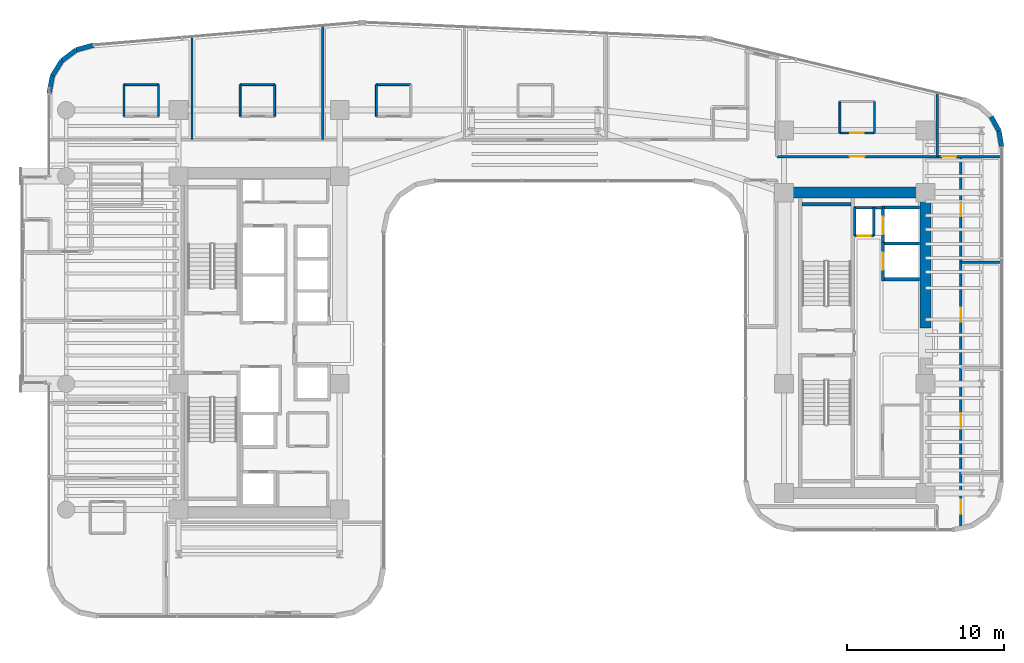
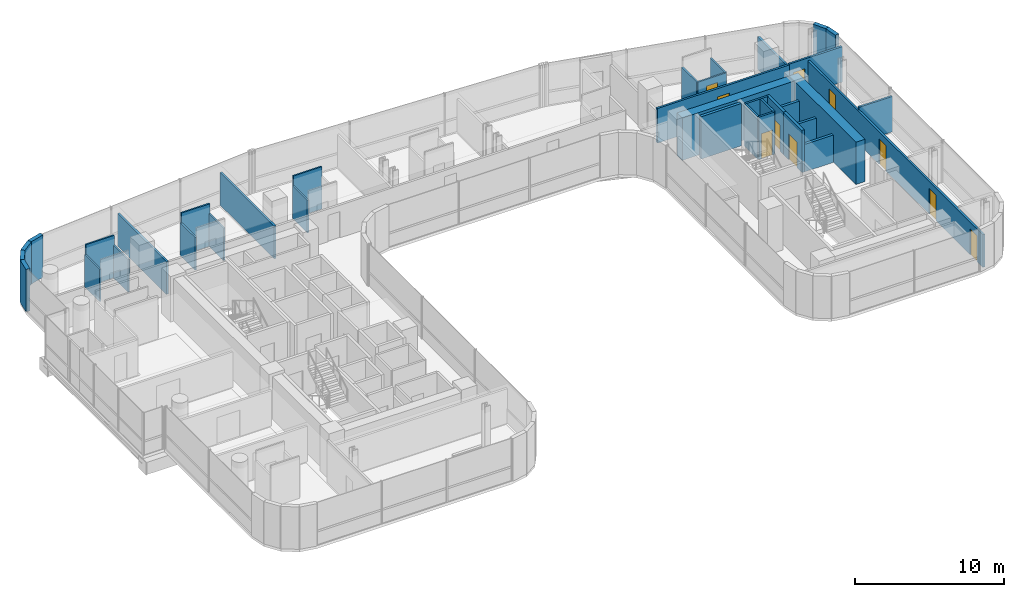
# One storey, part 29 of 35: 36 walls, 10 doors, 10 openings.
"""IFC4 building model written with IfcOpenShell, lengths in metres."""

from ifc_helpers import new_model, si_unit, direction, frame, frame_2d, origin, place, context, subcontext, project, spatial, rectangle, extrude, material, layer, layer_set, type_object, element, fill, save


model = new_model("IFC4")

# Units and contexts
model_context = context("Model", 3, precision=1e-05, world=origin(), true_north=direction((0.0, 1.0)))
body_context = subcontext(model_context, "Body", "Model", "MODEL_VIEW")
ifc_project = project(units=[si_unit("LENGTHUNIT", "METRE"), si_unit("AREAUNIT", "SQUARE_METRE"), si_unit("VOLUMEUNIT", "CUBIC_METRE"), si_unit("PLANEANGLEUNIT", "RADIAN"), si_unit("MASSUNIT", "GRAM", prefix="KILO")], contexts=[model_context])

# Site, building, storey
site_placement = place(None, origin())
site = spatial("IfcSite", under=ifc_project, at=site_placement, CompositionType="ELEMENT")
building_placement = place(site_placement, origin())
building = spatial("IfcBuilding", under=site, at=building_placement, Name="Valdorenza Pilgrim Sanctuary Tower", CompositionType="ELEMENT")
storey_placement = place(building_placement, frame((0.0, 0.0, 113.10009765625)))
storey = spatial("IfcBuildingStorey", under=building, at=storey_placement, Name="L28", CompositionType="ELEMENT", Elevation=113.10009765625)

# Wall, opening, door
ifc_material_1 = material(Name="Acoustic twin-stud gypsum partition", Category="gypsum")
ifc_layer_1 = layer(ifc_material_1, 0.159912109375, Name="Acoustic twin-stud gypsum partition")
ifc_layer_set_1 = layer_set([ifc_layer_1], Name="Acoustic twin-stud gypsum partition")
wall_type_1 = type_object("IfcWallType", Name="WAL-COR-160", PredefinedType="PARTITIONING", material=ifc_layer_set_1)
wall_1_placement = place(storey_placement, frame((20.35009765625, 6.800048828125, 0.0), z_axis=(0.0, 0.0, 1.0), x_axis=(1.0, 0.0, 0.0)))
wall_1 = element("IfcWall", 1, at=wall_1_placement, inside=storey, type_object=wall_type_1, Name="L28 Core B Riser South Wall", PredefinedType="PARTITIONING", context=body_context, shape_type="SweptSolid", body=[
    extrude(rectangle(XDim=1.199951171875, YDim=0.159912109375, at=frame_2d((0.60009765625, 0.0))), origin(), (0.0, 0.0, 1.0), 3.4599609375),
])
opening_1_placement = place(wall_1_placement, frame((0.175048828125, 0.0, 0.0)))
opening_1 = element("IfcOpeningElement", 2, at=opening_1_placement, cuts=wall_1, Name="Opening DR-RS1", PredefinedType="OPENING", context=body_context, shape_type="SweptSolid", body=[
    extrude(rectangle(XDim=0.85009765625, YDim=2.050048828125, at=frame_2d((0.425048828125, 1.02490234375))), frame((0.0, 0.0947265625, 0.0), z_axis=(0.0, -1.0, 0.0), x_axis=(1.0, 0.0, 0.0)), (0.0, 0.0, 1.0), 0.189697265625),
])
ifc_material_2 = material(Name="Painted galvanized steel", Category="steel")
door_type_1 = type_object("IfcDoorType", Name="DR-RSR-850", OperationType="NOTDEFINED", PredefinedType="DOOR", material=ifc_material_2)
door_1_placement = place(opening_1_placement, origin())
door_1 = element("IfcDoor", 3, at=door_1_placement, inside=storey, type_object=door_type_1, Name="L28 Core B Electrical Riser Door", OperationType="SINGLE_SWING_RIGHT", OverallHeight=2.050048828125, OverallWidth=0.85009765625, PredefinedType="DOOR", context=body_context, shape_type="SweptSolid", body=[
    extrude(rectangle(XDim=0.85009765625, YDim=2.050048828125, at=frame_2d((0.425048828125, 1.02490234375))), frame((0.0, 0.02490234375, 0.0), z_axis=(0.0, -1.0, 0.0), x_axis=(1.0, 0.0, 0.0)), (0.0, 0.0, 1.0), 0.050048828125),
])
fill(opening_1, door_1)

# Walls
for number, where, z_axis, x_axis, name in (
    (4, (21.550048828125, 6.800048828125, 0.0), (0.0, 0.0, 1.0), (0.0, 1.0, 0.0), "L28 Core B Riser East Wall"),
    (5, (20.35009765625, 6.800048828125, 0.0), (0.0, 0.0, 1.0), (0.0, 1.0, 0.0), "L28 Core B Riser West Wall"),
):
    element("IfcWall", number, at=place(storey_placement, frame(where, z_axis=z_axis, x_axis=x_axis)), inside=storey, type_object=wall_type_1, Name=name, PredefinedType="PARTITIONING", context=body_context, shape_type="SweptSolid", body=[
        extrude(rectangle(XDim=1.800048828125, YDim=0.159912109375, at=frame_2d((0.89990234375, 0.0))), origin(), (0.0, 0.0, 1.0), 3.4599609375),
    ])
wall_2_placement = place(storey_placement, frame((20.300048828125, 8.60009765625, 0.0), z_axis=(0.0, 0.0, 1.0), x_axis=(1.0, 0.0, 0.0)))
element("IfcWall", 6, at=wall_2_placement, inside=storey, type_object=wall_type_1, Name="L28 Core B Lift Hall North End Wall", PredefinedType="PARTITIONING", context=body_context, shape_type="SweptSolid", body=[
    extrude(rectangle(XDim=1.820068359375, YDim=0.159912109375, at=frame_2d((0.91015625, 0.0))), origin(), (0.0, 0.0, 1.0), 3.4599609375),
])

# Wall, opening, door
wall_3_placement = place(storey_placement, frame((15.39990234375, 11.85009765625, 0.0), z_axis=(0.0, 0.0, 1.0), x_axis=(1.0, 0.0, 0.0)))
wall_3 = element("IfcWall", 7, at=wall_3_placement, inside=storey, type_object=wall_type_1, Name="L28 Wing B North Corridor Wall", PredefinedType="PARTITIONING", context=body_context, shape_type="SweptSolid", body=[
    extrude(rectangle(XDim=10.2001953125, YDim=0.159912109375, at=frame_2d((5.10009765625, 0.0))), origin(), (0.0, 0.0, 1.0), 2.833984375),
])
opening_2_placement = place(wall_3_placement, frame((4.625, 0.0, 0.0)))
opening_2 = element("IfcOpeningElement", 8, at=opening_2_placement, cuts=wall_3, Name="Opening DR-UN1", PredefinedType="OPENING", context=body_context, shape_type="SweptSolid", body=[
    extrude(rectangle(XDim=0.949951171875, YDim=2.14990234375, at=frame_2d((0.47509765625, 1.074951171875))), frame((0.0, 0.0947265625, 0.0), z_axis=(0.0, -1.0, 0.0), x_axis=(1.0, 0.0, 0.0)), (0.0, 0.0, 1.0), 0.189697265625),
])
ifc_material_3 = material(Name="Solid-core European oak timber", Category="wood")
door_type_2 = type_object("IfcDoorType", Name="DR-UNIT-950", OperationType="NOTDEFINED", PredefinedType="DOOR", material=ifc_material_3)
door_2_placement = place(opening_2_placement, frame((0.949951171875, 0.0, 0.0), z_axis=(0.0, 0.0, 1.0), x_axis=(-1.0, 0.0, 0.0)))
door_2 = element("IfcDoor", 9, at=door_2_placement, inside=storey, type_object=door_type_2, Name="L28 East North Guest Room L28-EN1 Entrance Door", OperationType="SINGLE_SWING_LEFT", OverallHeight=2.14990234375, OverallWidth=0.949951171875, PredefinedType="DOOR", context=body_context, shape_type="SweptSolid", body=[
    extrude(rectangle(XDim=0.949951171875, YDim=2.14990234375, at=frame_2d((0.47509765625, 1.074951171875))), frame((0.0, 0.02490234375, 0.0), z_axis=(0.0, -1.0, 0.0), x_axis=(1.0, 0.0, 0.0)), (0.0, 0.0, 1.0), 0.050048828125),
])
fill(opening_2, door_2)

# Wall
wall_4_placement = place(storey_placement, frame((25.60009765625, 11.85009765625, 0.0), z_axis=(0.0, 0.0, 1.0), x_axis=(0.0, 1.0, 0.0)))
element("IfcWall", 10, at=wall_4_placement, inside=storey, type_object=wall_type_1, Name="L28 Wing B North East Wall", PredefinedType="PARTITIONING", context=body_context, shape_type="SweptSolid", body=[
    extrude(rectangle(XDim=4.042236328125, YDim=0.159912109375, at=frame_2d((2.02099609375, 0.0))), origin(), (0.0, 0.0, 1.0), 2.666015625),
])

# Wall, openings, doors
wall_5_placement = place(storey_placement, frame((27.10009765625, -11.660888671875, 0.0), z_axis=(0.0, 0.0, 1.0), x_axis=(0.0, 1.0, 0.0)))
wall_5 = element("IfcWall", 11, at=wall_5_placement, inside=storey, type_object=wall_type_1, Name="L28 Wing B East Corridor Wall", PredefinedType="PARTITIONING", context=body_context, shape_type="SweptSolid", body=[
    extrude(rectangle(XDim=23.510986328125, YDim=0.159912109375, at=frame_2d((11.75537109375, 0.0))), origin(), (0.0, 0.0, 1.0), 2.666015625),
])
opening_3_placement = place(wall_5_placement, frame((0.800048828125, 0.0, 0.0)))
opening_3 = element("IfcOpeningElement", 12, at=opening_3_placement, cuts=wall_5, Name="Opening DR-RM1", PredefinedType="OPENING", context=body_context, shape_type="SweptSolid", body=[
    extrude(rectangle(XDim=0.89990234375, YDim=2.10009765625, at=frame_2d((0.449951171875, 1.050048828125))), frame((0.0, 0.0947265625, 0.0), z_axis=(0.0, -1.0, 0.0), x_axis=(1.0, 0.0, 0.0)), (0.0, 0.0, 1.0), 0.189697265625),
])
opening_4_placement = place(wall_5_placement, frame((6.280029296875, 0.0, 0.0)))
opening_4 = element("IfcOpeningElement", 13, at=opening_4_placement, cuts=wall_5, Name="Opening DR-RM1", PredefinedType="OPENING", context=body_context, shape_type="SweptSolid", body=[
    extrude(rectangle(XDim=0.89990234375, YDim=2.10009765625, at=frame_2d((0.449951171875, 1.050048828125))), frame((0.0, 0.0947265625, 0.0), z_axis=(0.0, -1.0, 0.0), x_axis=(1.0, 0.0, 0.0)), (0.0, 0.0, 1.0), 0.189697265625),
])
opening_5_placement = place(wall_5_placement, frame((12.991943359375, 0.0, 0.0)))
opening_5 = element("IfcOpeningElement", 14, at=opening_5_placement, cuts=wall_5, Name="Opening DR-RM1", PredefinedType="OPENING", context=body_context, shape_type="SweptSolid", body=[
    extrude(rectangle(XDim=0.89990234375, YDim=2.10009765625, at=frame_2d((0.449951171875, 1.050048828125))), frame((0.0, 0.0947265625, 0.0), z_axis=(0.0, -1.0, 0.0), x_axis=(1.0, 0.0, 0.0)), (0.0, 0.0, 1.0), 0.189697265625),
])
opening_6_placement = place(wall_5_placement, frame((19.705078125, 0.0, 0.0)))
opening_6 = element("IfcOpeningElement", 15, at=opening_6_placement, cuts=wall_5, Name="Opening DR-RM1", PredefinedType="OPENING", context=body_context, shape_type="SweptSolid", body=[
    extrude(rectangle(XDim=0.89990234375, YDim=2.10009765625, at=frame_2d((0.449951171875, 1.050048828125))), frame((0.0, 0.0947265625, 0.0), z_axis=(0.0, -1.0, 0.0), x_axis=(1.0, 0.0, 0.0)), (0.0, 0.0, 1.0), 0.189697265625),
])
door_type_3 = type_object("IfcDoorType", Name="DR-ROOM-900", OperationType="NOTDEFINED", PredefinedType="DOOR", material=ifc_material_3)
door_3_placement = place(opening_3_placement, frame((0.89990234375, 0.0, 0.0), z_axis=(0.0, 0.0, 1.0), x_axis=(-1.0, 0.0, 0.0)))
door_3 = element("IfcDoor", 16, at=door_3_placement, inside=storey, type_object=door_type_3, Name="L28 East Sanctuary Scholar Office L28-EG1 Door", OperationType="SINGLE_SWING_LEFT", OverallHeight=2.10009765625, OverallWidth=0.89990234375, PredefinedType="DOOR", context=body_context, shape_type="SweptSolid", body=[
    extrude(rectangle(XDim=0.89990234375, YDim=2.10009765625, at=frame_2d((0.449951171875, 1.050048828125))), frame((0.0, 0.02490234375, 0.0), z_axis=(0.0, -1.0, 0.0), x_axis=(1.0, 0.0, 0.0)), (0.0, 0.0, 1.0), 0.050048828125),
])
fill(opening_3, door_3)
door_4_placement = place(opening_4_placement, origin())
door_4 = element("IfcDoor", 17, at=door_4_placement, inside=storey, type_object=door_type_3, Name="L28 East Sanctuary Scholar Office L28-EG2 Door", OperationType="SINGLE_SWING_RIGHT", OverallHeight=2.10009765625, OverallWidth=0.89990234375, PredefinedType="DOOR", context=body_context, shape_type="SweptSolid", body=[
    extrude(rectangle(XDim=0.89990234375, YDim=2.10009765625, at=frame_2d((0.449951171875, 1.050048828125))), frame((0.0, 0.02490234375, 0.0), z_axis=(0.0, -1.0, 0.0), x_axis=(1.0, 0.0, 0.0)), (0.0, 0.0, 1.0), 0.050048828125),
])
fill(opening_4, door_4)
door_5_placement = place(opening_5_placement, frame((0.89990234375, 0.0, 0.0), z_axis=(0.0, 0.0, 1.0), x_axis=(-1.0, 0.0, 0.0)))
door_5 = element("IfcDoor", 18, at=door_5_placement, inside=storey, type_object=door_type_3, Name="L28 East Sanctuary Scholar Office L28-EG3 Door", OperationType="SINGLE_SWING_LEFT", OverallHeight=2.10009765625, OverallWidth=0.89990234375, PredefinedType="DOOR", context=body_context, shape_type="SweptSolid", body=[
    extrude(rectangle(XDim=0.89990234375, YDim=2.10009765625, at=frame_2d((0.449951171875, 1.050048828125))), frame((0.0, 0.02490234375, 0.0), z_axis=(0.0, -1.0, 0.0), x_axis=(1.0, 0.0, 0.0)), (0.0, 0.0, 1.0), 0.050048828125),
])
fill(opening_5, door_5)
door_6_placement = place(opening_6_placement, origin())
door_6 = element("IfcDoor", 19, at=door_6_placement, inside=storey, type_object=door_type_3, Name="L28 East Sanctuary Scholar Office L28-EG4 Door", OperationType="SINGLE_SWING_RIGHT", OverallHeight=2.10009765625, OverallWidth=0.89990234375, PredefinedType="DOOR", context=body_context, shape_type="SweptSolid", body=[
    extrude(rectangle(XDim=0.89990234375, YDim=2.10009765625, at=frame_2d((0.449951171875, 1.050048828125))), frame((0.0, 0.02490234375, 0.0), z_axis=(0.0, -1.0, 0.0), x_axis=(1.0, 0.0, 0.0)), (0.0, 0.0, 1.0), 0.050048828125),
])
fill(opening_6, door_6)

# Wall, opening, door
wall_6_placement = place(storey_placement, frame((25.60009765625, 11.85009765625, 0.0), z_axis=(0.0, 0.0, 1.0), x_axis=(1.0, 0.0, 0.0)))
wall_6 = element("IfcWall", 20, at=wall_6_placement, inside=storey, type_object=wall_type_1, Name="L28 East Wing NE Corner South Wall", PredefinedType="PARTITIONING", context=body_context, shape_type="SweptSolid", body=[
    extrude(rectangle(XDim=4.08984375, YDim=0.159912109375, at=frame_2d((2.044921875, 0.0))), origin(), (0.0, 0.0, 1.0), 2.89599609375),
])
opening_7_placement = place(wall_6_placement, frame((0.300048828125, 0.0, 0.0)))
opening_7 = element("IfcOpeningElement", 21, at=opening_7_placement, cuts=wall_6, Name="Opening DR-RM1", PredefinedType="OPENING", context=body_context, shape_type="SweptSolid", body=[
    extrude(rectangle(XDim=0.89990234375, YDim=2.10009765625, at=frame_2d((0.449951171875, 1.050048828125))), frame((0.0, 0.0947265625, 0.0), z_axis=(0.0, -1.0, 0.0), x_axis=(1.0, 0.0, 0.0)), (0.0, 0.0, 1.0), 0.189697265625),
])
door_7_placement = place(opening_7_placement, origin())
door_7 = element("IfcDoor", 22, at=door_7_placement, inside=storey, type_object=door_type_3, Name="L28 East North Alcove Office L28 Door", OperationType="SINGLE_SWING_RIGHT", OverallHeight=2.10009765625, OverallWidth=0.89990234375, PredefinedType="DOOR", context=body_context, shape_type="SweptSolid", body=[
    extrude(rectangle(XDim=0.89990234375, YDim=2.10009765625, at=frame_2d((0.449951171875, 1.050048828125))), frame((0.0, 0.02490234375, 0.0), z_axis=(0.0, -1.0, 0.0), x_axis=(1.0, 0.0, 0.0)), (0.0, 0.0, 1.0), 0.050048828125),
])
fill(opening_7, door_7)

# Walls
ifc_material_4 = material(Name="Concrete C60/75", Category="concrete")
ifc_layer_2 = layer(ifc_material_4, 0.699951171875, Name="Concrete C60/75")
ifc_layer_set_2 = layer_set([ifc_layer_2], Name="Concrete C60/75")
wall_type_2 = type_object("IfcWallType", Name="WAL-COR-700", PredefinedType="SHEAR", material=ifc_layer_set_2)
wall_7_placement = place(storey_placement, frame((24.85009765625, 0.949951171875, 0.0), z_axis=(0.0, 0.0, 1.0), x_axis=(0.0, 1.0, 0.0)))
element("IfcWall", 23, at=wall_7_placement, inside=storey, type_object=wall_type_2, Name="L28 Split Core B Shear Wall EN", PredefinedType="SHEAR", context=body_context, shape_type="SweptSolid", body=[
    extrude(rectangle(XDim=8.949951171875, YDim=0.699951171875, at=frame_2d((4.47509765625, 0.0))), origin(), (0.0, 0.0, 1.0), 3.4599609375),
])
wall_8_placement = place(storey_placement, frame((15.85009765625, 9.550048828125, 0.0), z_axis=(0.0, 0.0, 1.0), x_axis=(1.0, 0.0, 0.0)))
element("IfcWall", 24, at=wall_8_placement, inside=storey, type_object=wall_type_2, Name="L28 Split Core B Shear Wall N", PredefinedType="SHEAR", context=body_context, shape_type="SweptSolid", body=[
    extrude(rectangle(XDim=9.0, YDim=0.699951171875, at=frame_2d((4.5, 0.0))), origin(), (0.0, 0.0, 1.0), 3.4599609375),
])
ifc_material_5 = material(Name="Honed travertine limestone", Category="masonry")
ifc_layer_3 = layer(ifc_material_5, 0.300048828125, Name="Honed travertine limestone")
ifc_layer_set_3 = layer_set([ifc_layer_3], Name="Honed travertine limestone")
wall_type_3 = type_object("IfcWallType", Name="WAL-EXT-300", PredefinedType="SOLIDWALL", material=ifc_layer_set_3)
wall_9_placement = place(storey_placement, frame((-30.889892578125, 15.850341796875, 0.0), z_axis=(0.0, 0.0, 1.0), x_axis=(0.184557499391, 0.982821718023, 0.0)))
element("IfcWall", 25, at=wall_9_placement, inside=storey, type_object=wall_type_3, Name="L28 Rounded Wind-Corner Stone Pier 2", PredefinedType="SOLIDWALL", context=body_context, shape_type="SweptSolid", body=[
    extrude(rectangle(XDim=1.15087890625, YDim=0.300048828125, at=frame_2d((0.575439453125, 0.0))), origin(), (0.0, 0.0, 1.0), 3.4599609375),
])
wall_10_placement = place(storey_placement, frame((-30.677490234375, 16.9814453125, 0.0), z_axis=(0.0, 0.0, 1.0), x_axis=(0.52880576008, 0.848742875143, 0.0)))
element("IfcWall", 26, at=wall_10_placement, inside=storey, type_object=wall_type_3, Name="L28 Rounded Wind-Corner Stone Pier 3", PredefinedType="SOLIDWALL", context=body_context, shape_type="SweptSolid", body=[
    extrude(rectangle(XDim=1.140869140625, YDim=0.300048828125, at=frame_2d((0.5703125, 0.0))), origin(), (0.0, 0.0, 1.0), 3.4599609375),
])
wall_11_placement = place(storey_placement, frame((-30.07421875, 17.94970703125, 0.0), z_axis=(0.0, 0.0, 1.0), x_axis=(0.800975009324, 0.598697782223, 0.0)))
element("IfcWall", 27, at=wall_11_placement, inside=storey, type_object=wall_type_3, Name="L28 Rounded Wind-Corner Stone Pier 4", PredefinedType="SOLIDWALL", context=body_context, shape_type="SweptSolid", body=[
    extrude(rectangle(XDim=1.140625, YDim=0.300048828125, at=frame_2d((0.5703125, 0.0))), origin(), (0.0, 0.0, 1.0), 3.4599609375),
])
wall_12_placement = place(storey_placement, frame((-29.16064453125, 18.632568359375, 0.0), z_axis=(0.0, 0.0, 1.0), x_axis=(0.963624193367, 0.267260947313, 0.0)))
element("IfcWall", 28, at=wall_12_placement, inside=storey, type_object=wall_type_3, Name="L28 Rounded Wind-Corner Stone Pier 5", PredefinedType="SOLIDWALL", context=body_context, shape_type="SweptSolid", body=[
    extrude(rectangle(XDim=1.15087890625, YDim=0.300048828125, at=frame_2d((0.575439453125, 0.0))), origin(), (0.0, 0.0, 1.0), 3.4599609375),
])
wall_13_placement = place(storey_placement, frame((29.024658203125, 14.388427734375, 0.0), z_axis=(0.0, 0.0, 1.0), x_axis=(0.480284137298, -0.87711296163, 0.0)))
element("IfcWall", 29, at=wall_13_placement, inside=storey, type_object=wall_type_3, Name="L28 Rounded Wind-Corner Stone Pier 19", PredefinedType="SOLIDWALL", context=body_context, shape_type="SweptSolid", body=[
    extrude(rectangle(XDim=1.02685546875, YDim=0.300048828125, at=frame_2d((0.513427734375, 0.0))), origin(), (0.0, 0.0, 1.0), 3.4599609375),
])
wall_14_placement = place(storey_placement, frame((29.517822265625, 13.48779296875, 0.0), z_axis=(0.0, 0.0, 1.0), x_axis=(0.166156796952, -0.986099345313, 0.0)))
element("IfcWall", 30, at=wall_14_placement, inside=storey, type_object=wall_type_3, Name="L28 Rounded Wind-Corner Stone Pier 20", PredefinedType="SOLIDWALL", context=body_context, shape_type="SweptSolid", body=[
    extrude(rectangle(XDim=1.035888671875, YDim=0.300048828125, at=frame_2d((0.51806640625, 0.0))), origin(), (0.0, 0.0, 1.0), 3.4599609375),
])
ifc_material_6 = material(Name="Moisture-resistant gypsum partition", Category="gypsum")
ifc_layer_4 = layer(ifc_material_6, 0.1201171875, Name="Moisture-resistant gypsum partition")
ifc_layer_set_4 = layer_set([ifc_layer_4], Name="Moisture-resistant gypsum partition")
wall_type_4 = type_object("IfcWallType", Name="WAL-INT-120", PredefinedType="PARTITIONING", material=ifc_layer_set_4)
for number, where, z_axis, x_axis, name in (
    (31, (-26.125, 14.419921875, 0.0), (0.0, 0.0, 1.0), (0.0, 1.0, 0.0), "L28 North Guest Room L28-N1 En-suite West Wall"),
    (32, (-23.925048828125, 14.419921875, 0.0), (0.0, 0.0, 1.0), (0.0, 1.0, 0.0), "L28 North Guest Room L28-N1 En-suite East Wall"),
):
    element("IfcWall", number, at=place(storey_placement, frame(where, z_axis=z_axis, x_axis=x_axis)), inside=storey, type_object=wall_type_4, Name=name, PredefinedType="PARTITIONING", context=body_context, shape_type="SweptSolid", body=[
        extrude(rectangle(XDim=2.0, YDim=0.1201171875, at=frame_2d((1.0, 0.0))), origin(), (0.0, 0.0, 1.0), 2.666015625),
    ])
wall_15_placement = place(storey_placement, frame((-26.125, 16.419921875, 0.0), z_axis=(0.0, 0.0, 1.0), x_axis=(1.0, 0.0, 0.0)))
element("IfcWall", 33, at=wall_15_placement, inside=storey, type_object=wall_type_4, Name="L28 North Guest Room L28-N1 En-suite Back Wall", PredefinedType="PARTITIONING", context=body_context, shape_type="SweptSolid", body=[
    extrude(rectangle(XDim=2.199951171875, YDim=0.1201171875, at=frame_2d((1.10009765625, 0.0))), origin(), (0.0, 0.0, 1.0), 3.4599609375),
])
for number, where, z_axis, x_axis, name in (
    (34, (-18.739990234375, 14.419921875, 0.0), (0.0, 0.0, 1.0), (0.0, 1.0, 0.0), "L28 North Guest Room L28-N2 En-suite West Wall"),
    (35, (-16.5400390625, 14.419921875, 0.0), (0.0, 0.0, 1.0), (0.0, 1.0, 0.0), "L28 North Guest Room L28-N2 En-suite East Wall"),
):
    element("IfcWall", number, at=place(storey_placement, frame(where, z_axis=z_axis, x_axis=x_axis)), inside=storey, type_object=wall_type_4, Name=name, PredefinedType="PARTITIONING", context=body_context, shape_type="SweptSolid", body=[
        extrude(rectangle(XDim=2.0, YDim=0.1201171875, at=frame_2d((1.0, 0.0))), origin(), (0.0, 0.0, 1.0), 2.666015625),
    ])
wall_16_placement = place(storey_placement, frame((-18.739990234375, 16.419921875, 0.0), z_axis=(0.0, 0.0, 1.0), x_axis=(1.0, 0.0, 0.0)))
element("IfcWall", 36, at=wall_16_placement, inside=storey, type_object=wall_type_4, Name="L28 North Guest Room L28-N2 En-suite Back Wall", PredefinedType="PARTITIONING", context=body_context, shape_type="SweptSolid", body=[
    extrude(rectangle(XDim=2.199951171875, YDim=0.1201171875, at=frame_2d((1.10009765625, 0.0))), origin(), (0.0, 0.0, 1.0), 3.4599609375),
])
wall_17_placement = place(storey_placement, frame((-10.074951171875, 14.419921875, 0.0), z_axis=(0.0, 0.0, 1.0), x_axis=(0.0, 1.0, 0.0)))
element("IfcWall", 37, at=wall_17_placement, inside=storey, type_object=wall_type_4, Name="L28 North Guest Room L28-N3 En-suite West Wall", PredefinedType="PARTITIONING", context=body_context, shape_type="SweptSolid", body=[
    extrude(rectangle(XDim=2.0, YDim=0.1201171875, at=frame_2d((1.0, 0.0))), origin(), (0.0, 0.0, 1.0), 2.666015625),
])
wall_18_placement = place(storey_placement, frame((-10.074951171875, 16.419921875, 0.0), z_axis=(0.0, 0.0, 1.0), x_axis=(1.0, 0.0, 0.0)))
element("IfcWall", 38, at=wall_18_placement, inside=storey, type_object=wall_type_4, Name="L28 North Guest Room L28-N3 En-suite Back Wall", PredefinedType="PARTITIONING", context=body_context, shape_type="SweptSolid", body=[
    extrude(rectangle(XDim=2.199951171875, YDim=0.1201171875, at=frame_2d((1.10009765625, 0.0))), origin(), (0.0, 0.0, 1.0), 3.4599609375),
])
for number, where, z_axis, x_axis, name in (
    (39, (19.39990234375, 13.35009765625, 0.0), (0.0, 0.0, 1.0), (0.0, 1.0, 0.0), "L28 East North Guest Room L28-EN1 En-suite West Wall"),
    (40, (21.60009765625, 13.35009765625, 0.0), (0.0, 0.0, 1.0), (0.0, 1.0, 0.0), "L28 East North Guest Room L28-EN1 En-suite East Wall"),
):
    element("IfcWall", number, at=place(storey_placement, frame(where, z_axis=z_axis, x_axis=x_axis)), inside=storey, type_object=wall_type_4, Name=name, PredefinedType="PARTITIONING", context=body_context, shape_type="SweptSolid", body=[
        extrude(rectangle(XDim=2.0, YDim=0.1201171875, at=frame_2d((1.0, 0.0))), origin(), (0.0, 0.0, 1.0), 2.666015625),
    ])

# Wall, opening, door
wall_19_placement = place(storey_placement, frame((19.39990234375, 13.35009765625, 0.0), z_axis=(0.0, 0.0, 1.0), x_axis=(1.0, 0.0, 0.0)))
wall_19 = element("IfcWall", 41, at=wall_19_placement, inside=storey, type_object=wall_type_4, Name="L28 East North Guest Room L28-EN1 En-suite Door Wall", PredefinedType="PARTITIONING", context=body_context, shape_type="SweptSolid", body=[
    extrude(rectangle(XDim=2.2001953125, YDim=0.1201171875, at=frame_2d((1.10009765625, 0.0))), origin(), (0.0, 0.0, 1.0), 2.666015625),
])
opening_8_placement = place(wall_19_placement, frame((0.675048828125, 0.0, 0.0)))
opening_8 = element("IfcOpeningElement", 42, at=opening_8_placement, cuts=wall_19, Name="Opening DR-WC1", PredefinedType="OPENING", context=body_context, shape_type="SweptSolid", body=[
    extrude(rectangle(XDim=0.85009765625, YDim=2.10009765625, at=frame_2d((0.425048828125, 1.050048828125))), frame((0.0, 0.074951171875, 0.0), z_axis=(0.0, -1.0, 0.0), x_axis=(1.0, 0.0, 0.0)), (0.0, 0.0, 1.0), 0.14990234375),
])
ifc_material_7 = material(Name="Moisture-resistant lacquered timber", Category="wood")
door_type_4 = type_object("IfcDoorType", Name="DR-BATH-850", OperationType="NOTDEFINED", PredefinedType="DOOR", material=ifc_material_7)
door_8_placement = place(opening_8_placement, origin())
door_8 = element("IfcDoor", 43, at=door_8_placement, inside=storey, type_object=door_type_4, Name="L28 East North Guest Room L28-EN1 En-suite Bathroom Door", OperationType="SINGLE_SWING_RIGHT", OverallHeight=2.10009765625, OverallWidth=0.85009765625, PredefinedType="DOOR", context=body_context, shape_type="SweptSolid", body=[
    extrude(rectangle(XDim=0.85009765625, YDim=2.10009765625, at=frame_2d((0.425048828125, 1.050048828125))), frame((0.0, 0.02490234375, 0.0), z_axis=(0.0, -1.0, 0.0), x_axis=(1.0, 0.0, 0.0)), (0.0, 0.0, 1.0), 0.050048828125),
])
fill(opening_8, door_8)

ifc_material_8 = material(Name="Autoclaved aerated concrete blockwork", Category="masonry")
ifc_layer_5 = layer(ifc_material_8, 0.199951171875, Name="Autoclaved aerated concrete blockwork")
ifc_layer_set_5 = layer_set([ifc_layer_5], Name="Autoclaved aerated concrete blockwork")
wall_type_5 = type_object("IfcWallType", Name="WAL-SHF-200", PredefinedType="MOVABLE", material=ifc_layer_set_5)
wall_20_placement = place(storey_placement, frame((22.14990234375, 3.949951171875, 0.0), z_axis=(0.0, 0.0, 1.0), x_axis=(0.0, 1.0, 0.0)))
wall_20 = element("IfcWall", 44, at=wall_20_placement, inside=storey, type_object=wall_type_5, Name="L28 Lift PL-07 Hoistway Wall West", PredefinedType="MOVABLE", context=body_context, shape_type="SweptSolid", body=[
    extrude(rectangle(XDim=2.47509765625, YDim=0.199951171875, at=frame_2d((1.237548828125, 0.0))), origin(), (0.0, 0.0, 1.0), 3.4599609375),
])
opening_9_placement = place(wall_20_placement, frame((0.6875, 0.0, 0.0)))
opening_9 = element("IfcOpeningElement", 45, at=opening_9_placement, cuts=wall_20, Name="Opening LD-01", PredefinedType="OPENING", context=body_context, shape_type="SweptSolid", body=[
    extrude(rectangle(XDim=1.10009765625, YDim=2.10009765625, at=frame_2d((0.550048828125, 1.050048828125))), frame((0.0, 0.11474609375, 0.0), z_axis=(0.0, -1.0, 0.0), x_axis=(1.0, 0.0, 0.0)), (0.0, 0.0, 1.0), 0.229736328125),
])
ifc_material_9 = material(Name="Brushed stainless steel Grade 316", Category="steel")
door_type_5 = type_object("IfcDoorType", Name="DR-LFT-1100", OperationType="DOUBLE_DOOR_SLIDING", PredefinedType="DOOR", material=ifc_material_9)
door_9_placement = place(opening_9_placement, origin())
door_9 = element("IfcDoor", 46, at=door_9_placement, inside=storey, type_object=door_type_5, Name="L28 Lift PL-07 Sliding Landing Door", OperationType="DOUBLE_DOOR_SLIDING", OverallHeight=2.10009765625, OverallWidth=1.10009765625, PredefinedType="DOOR", context=body_context, shape_type="SweptSolid", body=[
    extrude(rectangle(XDim=1.10009765625, YDim=2.10009765625, at=frame_2d((0.550048828125, 1.050048828125))), frame((0.0, 0.02490234375, 0.0), z_axis=(0.0, -1.0, 0.0), x_axis=(1.0, 0.0, 0.0)), (0.0, 0.0, 1.0), 0.050048828125),
])
fill(opening_9, door_9)

# Walls
for number, where, z_axis, x_axis, name in (
    (47, (22.25, 4.050048828125, 0.0), (0.0, 0.0, 1.0), (1.0, 0.0, 0.0), "L28 Lift PL-07 Hoistway Wall South"),
    (48, (22.25, 6.324951171875, 0.0), (0.0, 0.0, 1.0), (1.0, 0.0, 0.0), "L28 Lift PL-07 Hoistway Wall North"),
):
    element("IfcWall", number, at=place(storey_placement, frame(where, z_axis=z_axis, x_axis=x_axis)), inside=storey, type_object=wall_type_5, Name=name, PredefinedType="MOVABLE", context=body_context, shape_type="SweptSolid", body=[
        extrude(rectangle(XDim=2.22998046875, YDim=0.199951171875, at=frame_2d((1.114990234375, 0.0))), origin(), (0.0, 0.0, 1.0), 2.244873046875),
    ])

# Wall, opening, door
wall_21_placement = place(storey_placement, frame((22.14990234375, 6.22509765625, 0.0), z_axis=(0.0, 0.0, 1.0), x_axis=(0.0, 1.0, 0.0)))
wall_21 = element("IfcWall", 49, at=wall_21_placement, inside=storey, type_object=wall_type_5, Name="L28 Lift PL-08 Hoistway Wall West", PredefinedType="MOVABLE", context=body_context, shape_type="SweptSolid", body=[
    extrude(rectangle(XDim=2.474853515625, YDim=0.199951171875, at=frame_2d((1.2373046875, 0.0))), origin(), (0.0, 0.0, 1.0), 3.4599609375),
])
opening_10_placement = place(wall_21_placement, frame((0.6875, 0.0, 0.0)))
opening_10 = element("IfcOpeningElement", 50, at=opening_10_placement, cuts=wall_21, Name="Opening LD-01", PredefinedType="OPENING", context=body_context, shape_type="SweptSolid", body=[
    extrude(rectangle(XDim=1.10009765625, YDim=2.10009765625, at=frame_2d((0.550048828125, 1.050048828125))), frame((0.0, 0.11474609375, 0.0), z_axis=(0.0, -1.0, 0.0), x_axis=(1.0, 0.0, 0.0)), (0.0, 0.0, 1.0), 0.229736328125),
])
door_10_placement = place(opening_10_placement, origin())
door_10 = element("IfcDoor", 51, at=door_10_placement, inside=storey, type_object=door_type_5, Name="L28 Lift PL-08 Sliding Landing Door", OperationType="DOUBLE_DOOR_SLIDING", OverallHeight=2.10009765625, OverallWidth=1.10009765625, PredefinedType="DOOR", context=body_context, shape_type="SweptSolid", body=[
    extrude(rectangle(XDim=1.10009765625, YDim=2.10009765625, at=frame_2d((0.550048828125, 1.050048828125))), frame((0.0, 0.02490234375, 0.0), z_axis=(0.0, -1.0, 0.0), x_axis=(1.0, 0.0, 0.0)), (0.0, 0.0, 1.0), 0.050048828125),
])
fill(opening_10, door_10)

# Walls
wall_22_placement = place(storey_placement, frame((22.25, 8.60009765625, 0.0), z_axis=(0.0, 0.0, 1.0), x_axis=(1.0, 0.0, 0.0)))
element("IfcWall", 52, at=wall_22_placement, inside=storey, type_object=wall_type_5, Name="L28 Lift PL-08 Hoistway Wall North", PredefinedType="MOVABLE", context=body_context, shape_type="SweptSolid", body=[
    extrude(rectangle(XDim=2.22998046875, YDim=0.199951171875, at=frame_2d((1.114990234375, 0.0))), origin(), (0.0, 0.0, 1.0), 2.244873046875),
])
ifc_material_10 = material(Name="Concrete C40/50", Category="concrete")
ifc_layer_6 = layer(ifc_material_10, 0.219970703125, Name="Concrete C40/50")
ifc_layer_set_6 = layer_set([ifc_layer_6], Name="Concrete C40/50")
wall_type_6 = type_object("IfcWallType", Name="WAL-STR-SHF-220", PredefinedType="SHEAR", material=ifc_layer_set_6)
wall_23_placement = place(storey_placement, frame((17.0, 8.81005859375, 0.0), z_axis=(0.0, 0.0, 1.0), x_axis=(1.0, 0.0, 0.0)))
element("IfcWall", 53, at=wall_23_placement, inside=storey, type_object=wall_type_6, Name="L28 ST-B1 Structural Stairwell Wall N", PredefinedType="SHEAR", context=body_context, shape_type="SweptSolid", body=[
    extrude(rectangle(XDim=3.110107421875, YDim=0.219970703125, at=frame_2d((1.55517578125, 0.0))), origin(), (0.0, 0.0, 1.0), 3.4599609375),
])
ifc_layer_7 = layer(ifc_material_1, 0.14990234375, Name="Acoustic twin-stud gypsum partition")
ifc_layer_set_7 = layer_set([ifc_layer_7], Name="Acoustic twin-stud gypsum partition")
wall_type_7 = type_object("IfcWallType", Name="WAL-UNT-150", PredefinedType="PARTITIONING", material=ifc_layer_set_7)
wall_24_placement = place(storey_placement, frame((-21.800048828125, 12.919921875, 0.0), z_axis=(0.0, 0.0, 1.0), x_axis=(0.0, 1.0, 0.0)))
element("IfcWall", 54, at=wall_24_placement, inside=storey, type_object=wall_type_7, Name="L28 North Demising 1", PredefinedType="PARTITIONING", context=body_context, shape_type="SweptSolid", body=[
    extrude(rectangle(XDim=6.5517578125, YDim=0.14990234375, at=frame_2d((3.27587890625, 0.0))), origin(), (0.0, 0.0, 1.0), 2.666015625),
])
wall_25_placement = place(storey_placement, frame((-13.47998046875, 12.919921875, 0.0), z_axis=(0.0, 0.0, 1.0), x_axis=(0.0, 1.0, 0.0)))
element("IfcWall", 55, at=wall_25_placement, inside=storey, type_object=wall_type_7, Name="L28 North Demising 2", PredefinedType="PARTITIONING", context=body_context, shape_type="SweptSolid", body=[
    extrude(rectangle(XDim=7.2587890625, YDim=0.14990234375, at=frame_2d((3.62939453125, 0.0))), origin(), (0.0, 0.0, 1.0), 2.666015625),
])
wall_26_placement = place(storey_placement, frame((27.10009765625, 5.137939453125, 0.0), z_axis=(0.0, 0.0, 1.0), x_axis=(1.0, 0.0, 0.0)))
element("IfcWall", 56, at=wall_26_placement, inside=storey, type_object=wall_type_7, Name="L28 East Wing Guest Demising 3", PredefinedType="PARTITIONING", context=body_context, shape_type="SweptSolid", body=[
    extrude(rectangle(XDim=2.58984375, YDim=0.14990234375, at=frame_2d((1.294921875, 0.0))), origin(), (0.0, 0.0, 1.0), 2.89599609375),
])

save(model, "model.ifc")
